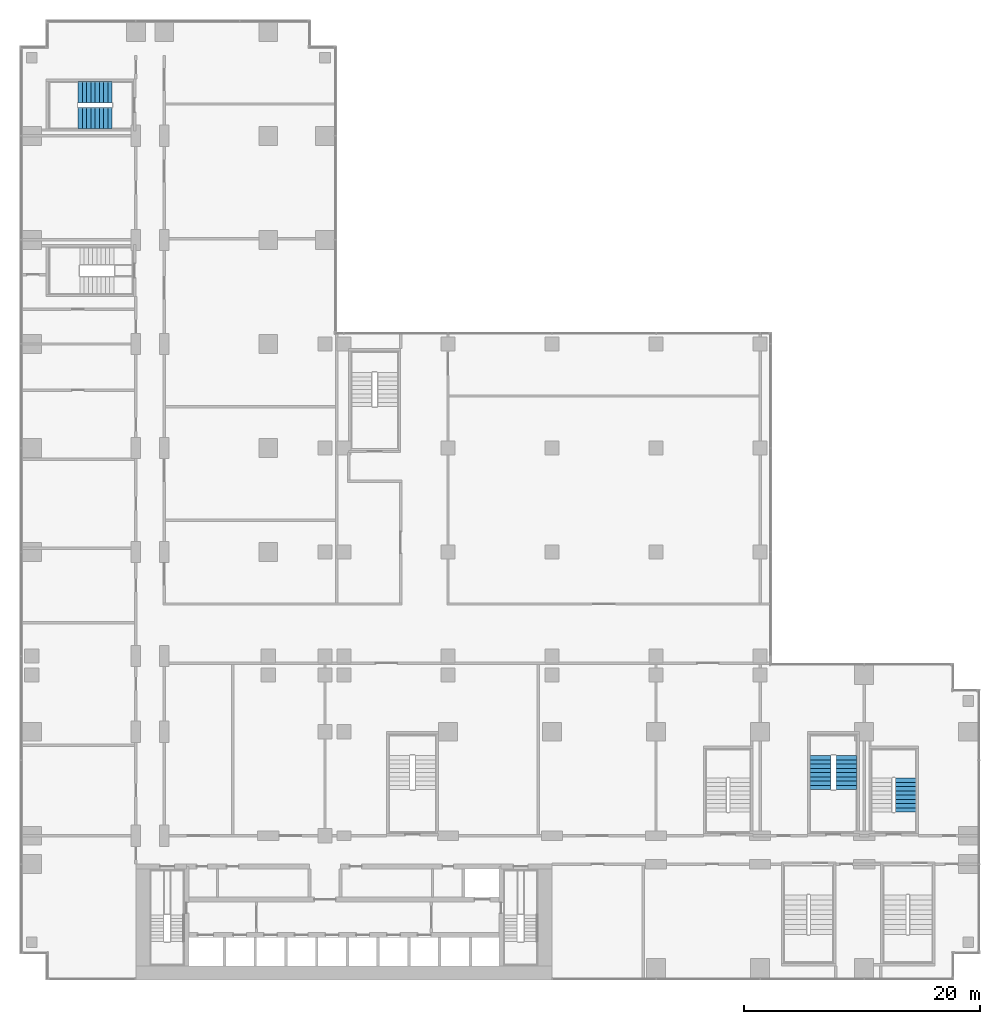
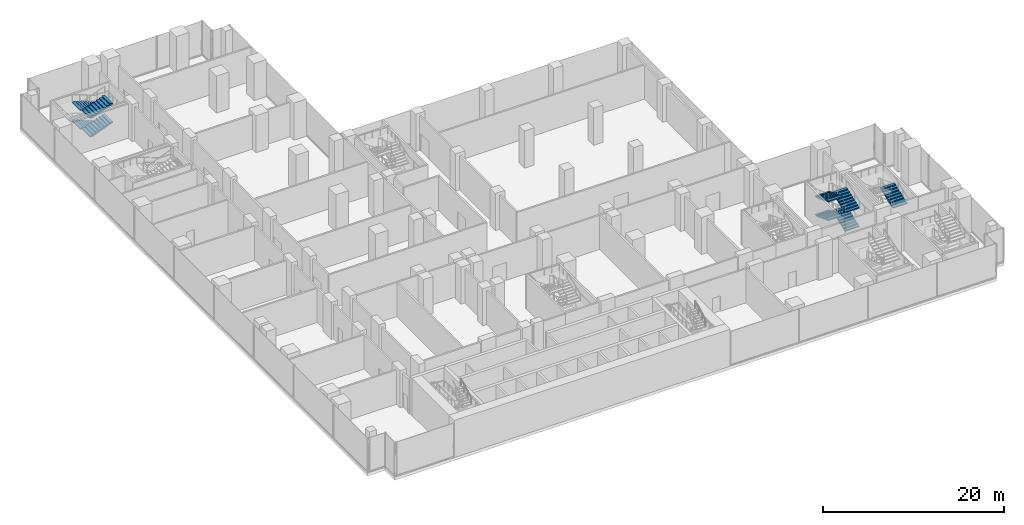
# One storey, part 24 of 30: 9 stair flights, 3 elements without a shape of their own.
"""IFC4 building model written with IfcOpenShell, lengths in metres."""

from ifc_helpers import new_model, si_unit, direction, frame, origin, place, context, subcontext, project, spatial, polyline, outline, extrude, material, type_object, element, aggregate, save


model = new_model("IFC4")

# Units and contexts
model_context = context("Model", 3, precision=1e-05, world=origin(), true_north=direction((0.0, 1.0)))
body_context = subcontext(model_context, "Body", "Model", "MODEL_VIEW")
ifc_project = project(units=[si_unit("LENGTHUNIT", "METRE"), si_unit("AREAUNIT", "SQUARE_METRE"), si_unit("VOLUMEUNIT", "CUBIC_METRE"), si_unit("PLANEANGLEUNIT", "RADIAN"), si_unit("MASSUNIT", "GRAM", prefix="KILO")], contexts=[model_context])

# Site, building, storey
site_placement = place(None, origin())
site = spatial("IfcSite", under=ifc_project, at=site_placement, CompositionType="ELEMENT")
building_placement = place(site_placement, origin())
building = spatial("IfcBuilding", under=site, at=building_placement, Name="Kemantara Hotel Tower", CompositionType="ELEMENT")
storey_placement = place(building_placement, frame((0.0, 0.0, 13.0)))
storey = spatial("IfcBuildingStorey", under=building, at=storey_placement, Name="L02", CompositionType="ELEMENT", Elevation=13.0)

# Stair, stair flight
ifc_material = material(Name="Concrete fc 40 MPa", Category="concrete")
stair_type = type_object("IfcStairType", Name="Stair 1800 wide 36 risers of 139 x 360 mm", PredefinedType="HALF_TURN_STAIR", material=ifc_material)
stair_1_placement = place(storey_placement, origin())
stair_1 = element("IfcStair", 1, at=stair_1_placement, inside=storey, type_object=stair_type, Name="L02 Exit stair ST5", PredefinedType="HALF_TURN_STAIR")
stair_flight_type = type_object("IfcStairFlightType", Name="Stair flight 1800 wide 139 x 360 mm", PredefinedType="STRAIGHT", material=ifc_material)
stair_flight_1_placement = place(storey_placement, frame((74.89990234375, 14.199951171875, 2.5), z_axis=(0.0, 0.0, 1.0), x_axis=(0.0, 1.0, 0.0)))
stair_flight_1 = element("IfcStairFlight", 2, at=stair_flight_1_placement, type_object=stair_flight_type, Name="ST5 flight 3", NumberOfRisers=9, NumberOfTreads=8, PredefinedType="STRAIGHT", RiserHeight=0.138888889, TreadLength=0.36, context=body_context, shape_type="SweptSolid", body=[
    extrude(outline(polyline([(0.0, 0.0), (0.0, 0.138916015625), (0.360107421875, 0.138916015625), (0.360107421875, 0.27783203125), (0.719970703125, 0.27783203125), (0.719970703125, 0.416748046875), (1.080078125, 0.416748046875), (1.080078125, 0.5556640625), (1.43994140625, 0.5556640625), (1.43994140625, 0.6943359375), (1.800048828125, 0.6943359375), (1.800048828125, 0.833251953125), (2.159912109375, 0.833251953125), (2.159912109375, 0.97216796875), (2.52001953125, 0.97216796875), (2.52001953125, 1.111083984375), (2.8798828125, 1.111083984375), (2.8798828125, 1.25), (2.8798828125, 0.950439453125), (0.41650390625, 0.0), (0.0, 0.0)])), frame((0.0, 0.89990234375, 0.0), z_axis=(0.0, -1.0, 0.0), x_axis=(1.0, 0.0, 0.0)), (0.0, 0.0, 1.0), 1.800048828125),
])
aggregate(stair_1, [stair_flight_1])

# Stair, stair flights
stair_2_placement = place(storey_placement, origin())
stair_2 = element("IfcStair", 3, at=stair_2_placement, inside=storey, type_object=stair_type, Name="L02 Exit stair ST6", PredefinedType="HALF_TURN_STAIR")
stair_flight_2_placement = place(storey_placement, frame((7.800048828125, 75.10009765625, 0.0), z_axis=(0.0, 0.0, 1.0), x_axis=(-1.0, 0.0, 0.0)))
stair_flight_2 = element("IfcStairFlight", 4, at=stair_flight_2_placement, type_object=stair_flight_type, Name="ST6 flight 1", NumberOfRisers=9, NumberOfTreads=8, PredefinedType="STRAIGHT", RiserHeight=0.138888889, TreadLength=0.36, context=body_context, shape_type="SweptSolid", body=[
    extrude(outline(polyline([(0.0, 0.0), (0.0, 0.138916015625), (0.360107421875, 0.138916015625), (0.360107421875, 0.27783203125), (0.719970703125, 0.27783203125), (0.719970703125, 0.416748046875), (1.080078125, 0.416748046875), (1.080078125, 0.5556640625), (1.43994140625, 0.5556640625), (1.43994140625, 0.6943359375), (1.800048828125, 0.6943359375), (1.800048828125, 0.833251953125), (2.159912109375, 0.833251953125), (2.159912109375, 0.97216796875), (2.52001953125, 0.97216796875), (2.52001953125, 1.111083984375), (2.8798828125, 1.111083984375), (2.8798828125, 1.25), (2.8798828125, 0.950439453125), (0.41650390625, 0.0), (0.0, 0.0)])), frame((0.0, 0.89990234375, 0.0), z_axis=(0.0, -1.0, 0.0), x_axis=(1.0, 0.0, 0.0)), (0.0, 0.0, 1.0), 1.800048828125),
])
stair_flight_3_placement = place(storey_placement, frame((4.919921875, 72.89990234375, 1.25), z_axis=(0.0, 0.0, 1.0), x_axis=(1.0, 0.0, 0.0)))
stair_flight_3 = element("IfcStairFlight", 5, at=stair_flight_3_placement, type_object=stair_flight_type, Name="ST6 flight 2", NumberOfRisers=9, NumberOfTreads=8, PredefinedType="STRAIGHT", RiserHeight=0.138888889, TreadLength=0.36, context=body_context, shape_type="SweptSolid", body=[
    extrude(outline(polyline([(0.0, 0.0), (0.0, 0.138916015625), (0.360107421875, 0.138916015625), (0.360107421875, 0.27783203125), (0.719970703125, 0.27783203125), (0.719970703125, 0.416748046875), (1.080078125, 0.416748046875), (1.080078125, 0.5556640625), (1.43994140625, 0.5556640625), (1.43994140625, 0.6943359375), (1.800048828125, 0.6943359375), (1.800048828125, 0.833251953125), (2.159912109375, 0.833251953125), (2.159912109375, 0.97216796875), (2.52001953125, 0.97216796875), (2.52001953125, 1.111083984375), (2.8798828125, 1.111083984375), (2.8798828125, 1.25), (2.8798828125, 0.950439453125), (0.41650390625, 0.0), (0.0, 0.0)])), frame((0.0, 0.89990234375, 0.0), z_axis=(0.0, -1.0, 0.0), x_axis=(1.0, 0.0, 0.0)), (0.0, 0.0, 1.0), 1.800048828125),
])
stair_flight_4_placement = place(storey_placement, frame((7.800048828125, 75.10009765625, 2.5), z_axis=(0.0, 0.0, 1.0), x_axis=(-1.0, 0.0, 0.0)))
stair_flight_4 = element("IfcStairFlight", 6, at=stair_flight_4_placement, type_object=stair_flight_type, Name="ST6 flight 3", NumberOfRisers=9, NumberOfTreads=8, PredefinedType="STRAIGHT", RiserHeight=0.138888889, TreadLength=0.36, context=body_context, shape_type="SweptSolid", body=[
    extrude(outline(polyline([(0.0, 0.0), (0.0, 0.138916015625), (0.360107421875, 0.138916015625), (0.360107421875, 0.27783203125), (0.719970703125, 0.27783203125), (0.719970703125, 0.416748046875), (1.080078125, 0.416748046875), (1.080078125, 0.5556640625), (1.43994140625, 0.5556640625), (1.43994140625, 0.6943359375), (1.800048828125, 0.6943359375), (1.800048828125, 0.833251953125), (2.159912109375, 0.833251953125), (2.159912109375, 0.97216796875), (2.52001953125, 0.97216796875), (2.52001953125, 1.111083984375), (2.8798828125, 1.111083984375), (2.8798828125, 1.25), (2.8798828125, 0.950439453125), (0.41650390625, 0.0), (0.0, 0.0)])), frame((0.0, 0.89990234375, 0.0), z_axis=(0.0, -1.0, 0.0), x_axis=(1.0, 0.0, 0.0)), (0.0, 0.0, 1.0), 1.800048828125),
])
stair_flight_5_placement = place(storey_placement, frame((4.919921875, 72.89990234375, 3.75), z_axis=(0.0, 0.0, 1.0), x_axis=(1.0, 0.0, 0.0)))
stair_flight_5 = element("IfcStairFlight", 7, at=stair_flight_5_placement, type_object=stair_flight_type, Name="ST6 flight 4", NumberOfRisers=9, NumberOfTreads=8, PredefinedType="STRAIGHT", RiserHeight=0.138888889, TreadLength=0.36, context=body_context, shape_type="SweptSolid", body=[
    extrude(outline(polyline([(0.0, 0.0), (0.0, 0.138916015625), (0.360107421875, 0.138916015625), (0.360107421875, 0.27783203125), (0.719970703125, 0.27783203125), (0.719970703125, 0.416748046875), (1.080078125, 0.416748046875), (1.080078125, 0.5556640625), (1.43994140625, 0.5556640625), (1.43994140625, 0.6943359375), (1.800048828125, 0.6943359375), (1.800048828125, 0.833251953125), (2.159912109375, 0.833251953125), (2.159912109375, 0.97216796875), (2.52001953125, 0.97216796875), (2.52001953125, 1.111083984375), (2.8798828125, 1.111083984375), (2.8798828125, 1.25), (2.8798828125, 0.950439453125), (0.41650390625, 0.0), (0.0, 0.0)])), frame((0.0, 0.89990234375, 0.0), z_axis=(0.0, -1.0, 0.0), x_axis=(1.0, 0.0, 0.0)), (0.0, 0.0, 1.0), 1.800048828125),
])
aggregate(stair_2, [stair_flight_2, stair_flight_3, stair_flight_4, stair_flight_5])

stair_3_placement = place(storey_placement, origin())
stair_3 = element("IfcStair", 8, at=stair_3_placement, inside=storey, type_object=stair_type, Name="L02 Stair PS1", PredefinedType="HALF_TURN_STAIR")
stair_flight_6_placement = place(storey_placement, frame((69.89990234375, 16.10009765625, 0.0), z_axis=(0.0, 0.0, 1.0), x_axis=(0.0, 1.0, 0.0)))
stair_flight_6 = element("IfcStairFlight", 9, at=stair_flight_6_placement, type_object=stair_flight_type, Name="PS1 flight 1", NumberOfRisers=9, NumberOfTreads=8, PredefinedType="STRAIGHT", RiserHeight=0.138888889, TreadLength=0.36, context=body_context, shape_type="SweptSolid", body=[
    extrude(outline(polyline([(0.0, 0.0), (0.0, 0.138916015625), (0.360107421875, 0.138916015625), (0.360107421875, 0.27783203125), (0.719970703125, 0.27783203125), (0.719970703125, 0.416748046875), (1.080078125, 0.416748046875), (1.080078125, 0.5556640625), (1.43994140625, 0.5556640625), (1.43994140625, 0.6943359375), (1.800048828125, 0.6943359375), (1.800048828125, 0.833251953125), (2.159912109375, 0.833251953125), (2.159912109375, 0.97216796875), (2.52001953125, 0.97216796875), (2.52001953125, 1.111083984375), (2.8798828125, 1.111083984375), (2.8798828125, 1.25), (2.8798828125, 0.950439453125), (0.41650390625, 0.0), (0.0, 0.0)])), frame((0.0, 0.89990234375, 0.0), z_axis=(0.0, -1.0, 0.0), x_axis=(1.0, 0.0, 0.0)), (0.0, 0.0, 1.0), 1.800048828125),
])
stair_flight_7_placement = place(storey_placement, frame((67.699951171875, 18.97998046875, 1.25), z_axis=(0.0, 0.0, 1.0), x_axis=(0.0, -1.0, 0.0)))
stair_flight_7 = element("IfcStairFlight", 10, at=stair_flight_7_placement, type_object=stair_flight_type, Name="PS1 flight 2", NumberOfRisers=9, NumberOfTreads=8, PredefinedType="STRAIGHT", RiserHeight=0.138888889, TreadLength=0.36, context=body_context, shape_type="SweptSolid", body=[
    extrude(outline(polyline([(0.0, 0.0), (0.0, 0.138916015625), (0.360107421875, 0.138916015625), (0.360107421875, 0.27783203125), (0.719970703125, 0.27783203125), (0.719970703125, 0.416748046875), (1.080078125, 0.416748046875), (1.080078125, 0.5556640625), (1.43994140625, 0.5556640625), (1.43994140625, 0.6943359375), (1.800048828125, 0.6943359375), (1.800048828125, 0.833251953125), (2.159912109375, 0.833251953125), (2.159912109375, 0.97216796875), (2.52001953125, 0.97216796875), (2.52001953125, 1.111083984375), (2.8798828125, 1.111083984375), (2.8798828125, 1.25), (2.8798828125, 0.950439453125), (0.41650390625, 0.0), (0.0, 0.0)])), frame((0.0, 0.89990234375, 0.0), z_axis=(0.0, -1.0, 0.0), x_axis=(1.0, 0.0, 0.0)), (0.0, 0.0, 1.0), 1.800048828125),
])
stair_flight_8_placement = place(storey_placement, frame((69.89990234375, 16.10009765625, 2.5), z_axis=(0.0, 0.0, 1.0), x_axis=(0.0, 1.0, 0.0)))
stair_flight_8 = element("IfcStairFlight", 11, at=stair_flight_8_placement, type_object=stair_flight_type, Name="PS1 flight 3", NumberOfRisers=9, NumberOfTreads=8, PredefinedType="STRAIGHT", RiserHeight=0.138888889, TreadLength=0.36, context=body_context, shape_type="SweptSolid", body=[
    extrude(outline(polyline([(0.0, 0.0), (0.0, 0.138916015625), (0.360107421875, 0.138916015625), (0.360107421875, 0.27783203125), (0.719970703125, 0.27783203125), (0.719970703125, 0.416748046875), (1.080078125, 0.416748046875), (1.080078125, 0.5556640625), (1.43994140625, 0.5556640625), (1.43994140625, 0.6943359375), (1.800048828125, 0.6943359375), (1.800048828125, 0.833251953125), (2.159912109375, 0.833251953125), (2.159912109375, 0.97216796875), (2.52001953125, 0.97216796875), (2.52001953125, 1.111083984375), (2.8798828125, 1.111083984375), (2.8798828125, 1.25), (2.8798828125, 0.950439453125), (0.41650390625, 0.0), (0.0, 0.0)])), frame((0.0, 0.89990234375, 0.0), z_axis=(0.0, -1.0, 0.0), x_axis=(1.0, 0.0, 0.0)), (0.0, 0.0, 1.0), 1.800048828125),
])
stair_flight_9_placement = place(storey_placement, frame((67.699951171875, 18.97998046875, 3.75), z_axis=(0.0, 0.0, 1.0), x_axis=(0.0, -1.0, 0.0)))
stair_flight_9 = element("IfcStairFlight", 12, at=stair_flight_9_placement, type_object=stair_flight_type, Name="PS1 flight 4", NumberOfRisers=9, NumberOfTreads=8, PredefinedType="STRAIGHT", RiserHeight=0.138888889, TreadLength=0.36, context=body_context, shape_type="SweptSolid", body=[
    extrude(outline(polyline([(0.0, 0.0), (0.0, 0.138916015625), (0.360107421875, 0.138916015625), (0.360107421875, 0.27783203125), (0.719970703125, 0.27783203125), (0.719970703125, 0.416748046875), (1.080078125, 0.416748046875), (1.080078125, 0.5556640625), (1.43994140625, 0.5556640625), (1.43994140625, 0.6943359375), (1.800048828125, 0.6943359375), (1.800048828125, 0.833251953125), (2.159912109375, 0.833251953125), (2.159912109375, 0.97216796875), (2.52001953125, 0.97216796875), (2.52001953125, 1.111083984375), (2.8798828125, 1.111083984375), (2.8798828125, 1.25), (2.8798828125, 0.950439453125), (0.41650390625, 0.0), (0.0, 0.0)])), frame((0.0, 0.89990234375, 0.0), z_axis=(0.0, -1.0, 0.0), x_axis=(1.0, 0.0, 0.0)), (0.0, 0.0, 1.0), 1.800048828125),
])
aggregate(stair_3, [stair_flight_6, stair_flight_7, stair_flight_8, stair_flight_9])

save(model, "model.ifc")
